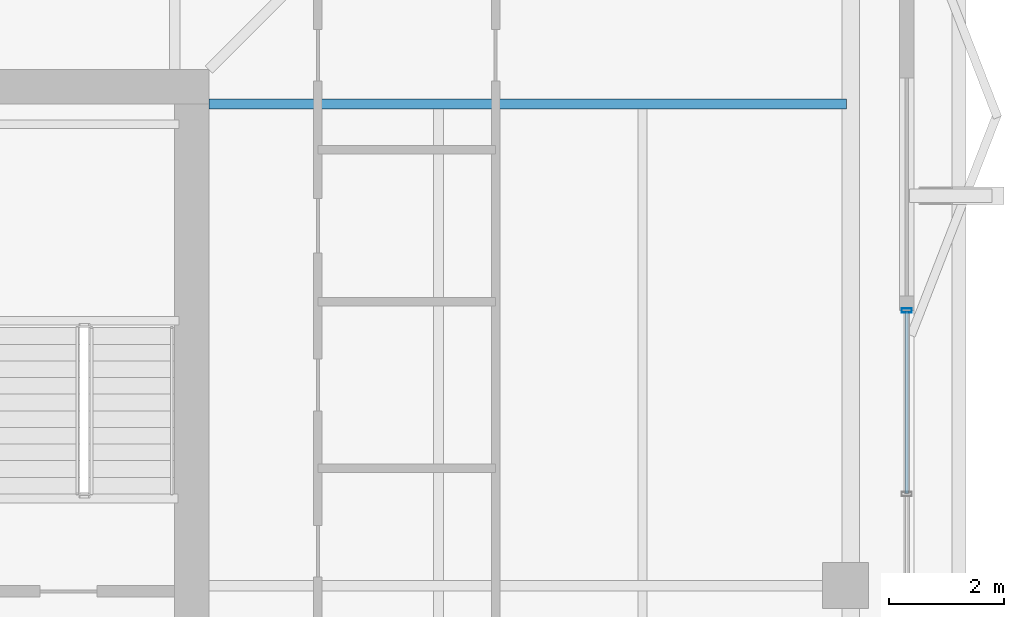
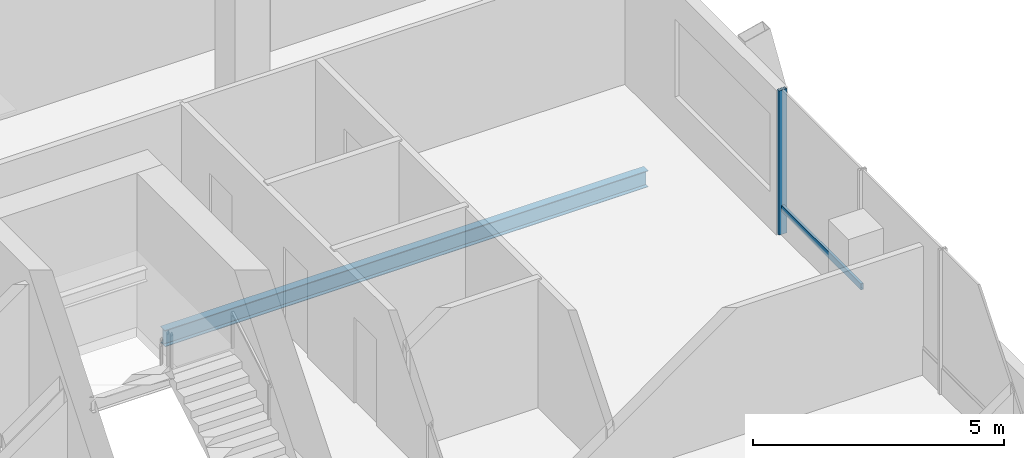
# One storey, part 10 of 18: 2 members, 1 beam, 1 element without a shape of its own.
"""IFC4 building model written with IfcOpenShell, lengths in metres."""

from ifc_helpers import new_model, si_unit, direction, frame, origin, origin_2d, place, context, subcontext, project, spatial, hollow_rectangle, i_section, extrude, material, layer, layer_set, material_profile, profile_set, type_object, element, aggregate, save


model = new_model("IFC4")

# Units and contexts
model_context = context("Model", 3, precision=1e-05, world=origin(), true_north=direction((0.0, 1.0)))
body_context = subcontext(model_context, "Body", "Model", "MODEL_VIEW")
ifc_project = project(units=[si_unit("LENGTHUNIT", "METRE"), si_unit("AREAUNIT", "SQUARE_METRE"), si_unit("VOLUMEUNIT", "CUBIC_METRE"), si_unit("PLANEANGLEUNIT", "RADIAN"), si_unit("MASSUNIT", "GRAM", prefix="KILO")], contexts=[model_context])

# Site, building, storey
site_placement = place(None, origin())
site = spatial("IfcSite", under=ifc_project, at=site_placement, CompositionType="ELEMENT")
building_placement = place(site_placement, origin())
building = spatial("IfcBuilding", under=site, at=building_placement, Name="Belovzor Exchange Tower", CompositionType="ELEMENT")
storey_placement = place(building_placement, frame((0.0, 0.0, 344.25)))
storey = spatial("IfcBuildingStorey", under=building, at=storey_placement, Name="L86", CompositionType="ELEMENT", Elevation=344.25)

# Curtain wall, members
ifc_material_1 = material(Name="Anodised Aluminium Framing", Category="aluminium")
ifc_layer = layer(ifc_material_1, 0.179931640625)
ifc_layer_set = layer_set([ifc_layer], Name="Anodised Aluminium Framing")
curtain_wall_type = type_object("IfcCurtainWallType", Name="Recessed Loggia Low-Iron Triple-Glazed Curtain Wall", PredefinedType="NOTDEFINED", material=ifc_layer_set)
curtain_wall_placement = place(storey_placement, origin())
curtain_wall = element("IfcCurtainWall", 1, at=curtain_wall_placement, inside=storey, type_object=curtain_wall_type, Name="CW3 Recessed Loggia Low-Iron Triple-Glazed Curtain Wall L86", PredefinedType="NOTDEFINED")
ifc_material_2 = material(Name="Steel S355", Category="steel")
ifc_material_profile_1 = material_profile(ifc_material_2, hollow_rectangle(XDim=0.074951171875, YDim=0.179931640625, WallThickness=0.0048828125, at=origin_2d()))
ifc_profile_set_1 = profile_set([ifc_material_profile_1], Name="Steel S355")
member_type_1 = type_object("IfcMemberType", Name="Thermally Broken Curtain Wall Mullion 180x75", PredefinedType="MULLION", material=ifc_profile_set_1)
member_1_placement = place(storey_placement, frame((49.969970703125, 33.60009765625, 0.0), z_axis=(0.0, 0.0, 1.0), x_axis=(0.0, -1.0, 0.0)))
member_1 = element("IfcMember", 2, at=member_1_placement, type_object=member_type_1, Name="CW-M180 Curtain Wall Mullion 1", PredefinedType="MULLION", context=body_context, shape_type="SweptSolid", body=[
    extrude(hollow_rectangle(XDim=0.074951171875, YDim=0.179931640625, WallThickness=0.0048828125, at=origin_2d()), origin(), (0.0, 0.0, 1.0), 3.510009765625),
])
ifc_material_3 = material(Name="Steel S355", Category="steel")
ifc_material_profile_2 = material_profile(ifc_material_3, hollow_rectangle(XDim=0.06005859375, YDim=0.14990234375, WallThickness=0.00390625, at=origin_2d()))
ifc_profile_set_2 = profile_set([ifc_material_profile_2], Name="Steel S355")
member_type_2 = type_object("IfcMemberType", Name="Thermally Broken Curtain Wall Transom 150x60", PredefinedType="USERDEFINED", material=ifc_profile_set_2)
member_2_placement = place(storey_placement, frame((49.969970703125, 33.592041015625, 0.632080078125), z_axis=(0.0, -1.0, 0.0), x_axis=(1.0, 0.0, 0.0)))
member_2 = element("IfcMember", 3, at=member_2_placement, type_object=member_type_2, Name="CW-T150 Curtain Wall Transom 1", ObjectType="TRANSOM", PredefinedType="USERDEFINED", context=body_context, shape_type="SweptSolid", body=[
    extrude(hollow_rectangle(XDim=0.06005859375, YDim=0.14990234375, WallThickness=0.00390625, at=origin_2d()), origin(), (0.0, 0.0, 1.0), 3.18408203125),
])
aggregate(curtain_wall, [member_1, member_2])

# Beam
ifc_material_4 = material(Name="Steel S355", Category="steel")
ifc_material_profile_3 = material_profile(ifc_material_4, i_section(OverallWidth=0.179931640625, OverallDepth=0.39990234375, WebThickness=0.008544921875, FlangeThickness=0.013427734375, at=origin_2d()))
ifc_profile_set_3 = profile_set([ifc_material_profile_3], Name="Steel S355")
beam_type = type_object("IfcBeamType", Name="Zone 5-6 Radial Composite Floor Beam IPE 400", PredefinedType="BEAM", material=ifc_profile_set_3)
beam_placement = place(storey_placement, frame((37.800048828125, 37.199951171875, -0.43994140625), z_axis=(1.0, 0.0, 0.0), x_axis=(0.0, 1.0, 0.0)))
element("IfcBeam", 4, at=beam_placement, inside=storey, type_object=beam_type, Name="FB-400 Zone 5-6 Radial Composite Floor Beam IPE 400", PredefinedType="BEAM", context=body_context, shape_type="SweptSolid", body=[
    extrude(i_section(OverallWidth=0.179931640625, OverallDepth=0.39990234375, WebThickness=0.008544921875, FlangeThickness=0.013427734375, at=origin_2d()), origin(), (0.0, 0.0, 1.0), 11.118896484375),
])

save(model, "model.ifc")
